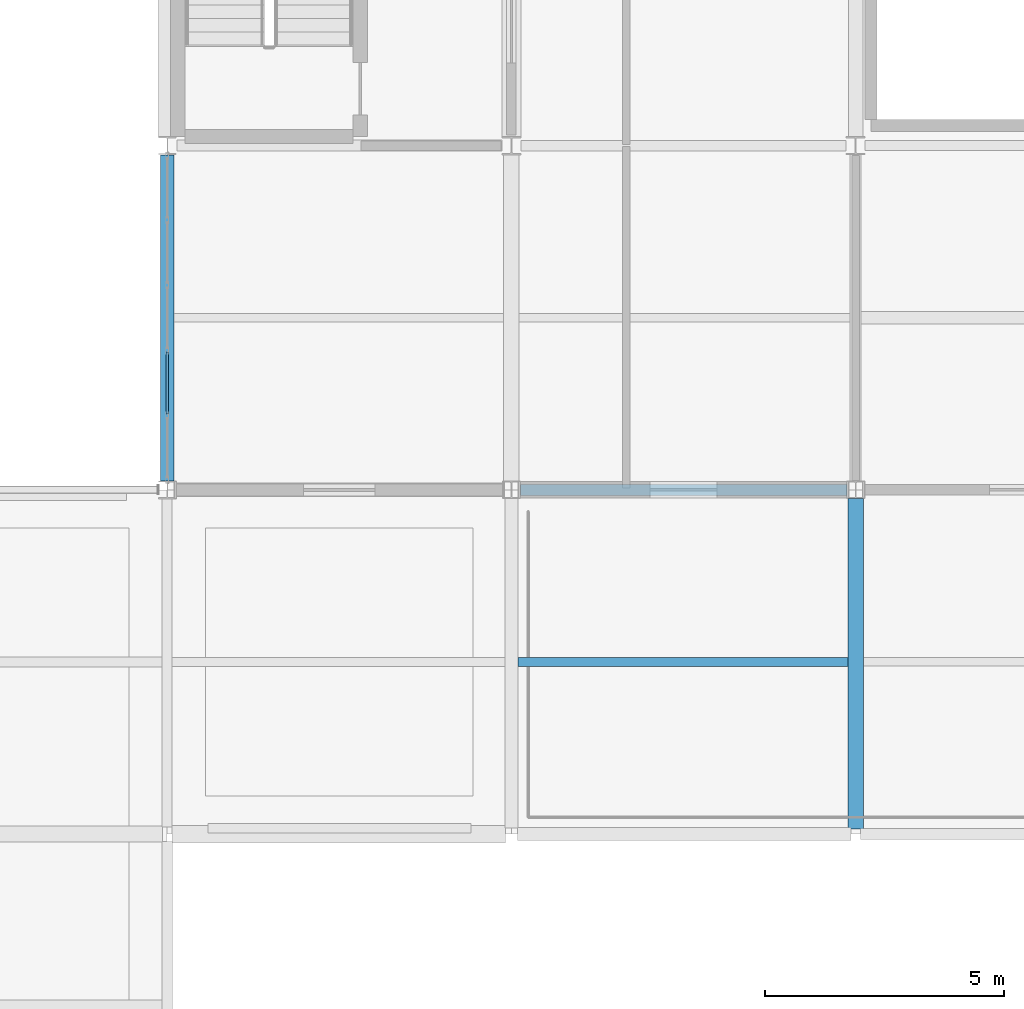
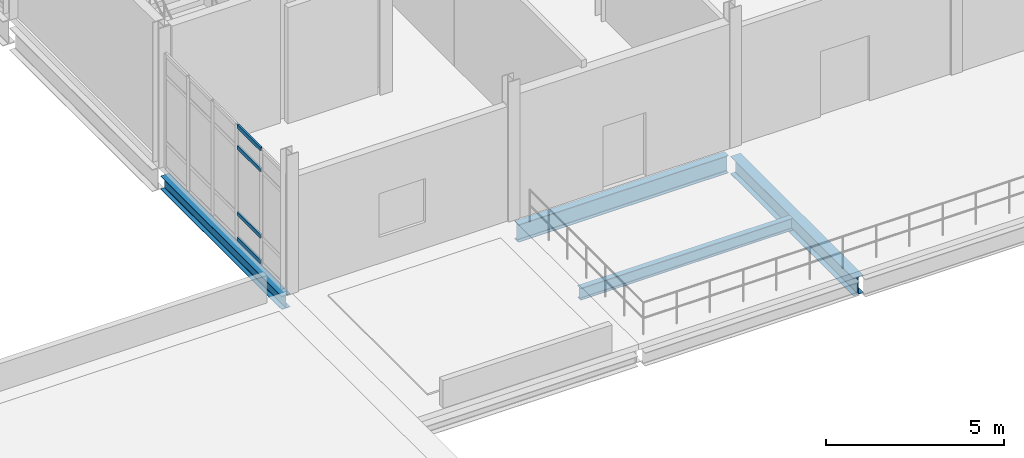
# One storey, part 40 of 153: 4 beams, 4 members, 1 element without a shape of its own.
"""IFC4 building model written with IfcOpenShell, lengths in metres."""

from ifc_helpers import new_model, si_unit, direction, frame, origin, origin_2d, place, context, subcontext, project, spatial, hollow_rectangle, i_section, extrude, material, layer, layer_set, material_profile, profile_set, type_object, element, aggregate, save


model = new_model("IFC4")

# Units and contexts
model_context = context("Model", 3, precision=1e-05, world=origin(), true_north=direction((0.0, 1.0)))
body_context = subcontext(model_context, "Body", "Model", "MODEL_VIEW")
ifc_project = project(units=[si_unit("LENGTHUNIT", "METRE"), si_unit("AREAUNIT", "SQUARE_METRE"), si_unit("VOLUMEUNIT", "CUBIC_METRE"), si_unit("PLANEANGLEUNIT", "RADIAN"), si_unit("MASSUNIT", "GRAM", prefix="KILO")], contexts=[model_context])

# Site, building, storey
site_placement = place(None, origin())
site = spatial("IfcSite", under=ifc_project, at=site_placement, CompositionType="ELEMENT")
building_placement = place(site_placement, origin())
building = spatial("IfcBuilding", under=site, at=building_placement, Name="Calvrana Isthmian Art Gallery", CompositionType="ELEMENT")
storey_placement = place(building_placement, frame((0.0, 0.0, 10.199951171875)))
storey = spatial("IfcBuildingStorey", under=building, at=storey_placement, Name="L02", CompositionType="ELEMENT", Elevation=10.199951171875)

# Beams
ifc_material_1 = material(Name="Steel ASTM A992 Gr 50", Category="steel")
ifc_material_profile_1 = material_profile(ifc_material_1, i_section(OverallWidth=0.279052734375, OverallDepth=0.4619140625, WebThickness=0.0107421875, FlangeThickness=0.017333984375, FilletRadius=0.02001953125, at=origin_2d()), Name="W18X76")
ifc_profile_set_1 = profile_set([ifc_material_profile_1], Name="Steel ASTM A992 Gr 50")
beam_type_1 = type_object("IfcBeamType", Name="BM-G-W18X76", PredefinedType="BEAM", material=ifc_profile_set_1)
beam_1_placement = place(storey_placement, frame((112.800048828125, 14.583984375, -0.495849609375), z_axis=(0.0, 1.0, 0.0), x_axis=(-1.0, 0.0, 0.0)))
element("IfcBeam", 1, at=beam_1_placement, inside=storey, type_object=beam_type_1, Name="Girder Y L02 15/C-D", PredefinedType="BEAM", context=body_context, shape_type="SweptSolid", body=[
    extrude(i_section(OverallWidth=0.279052734375, OverallDepth=0.4619140625, WebThickness=0.0107421875, FlangeThickness=0.017333984375, FilletRadius=0.02001953125, at=origin_2d()), origin(), (0.0, 0.0, 1.0), 6.822998046875),
])
ifc_material_profile_2 = material_profile(ifc_material_1, i_section(OverallWidth=0.324951171875, OverallDepth=0.612060546875, WebThickness=0.0126953125, FlangeThickness=0.01904296875, FilletRadius=0.02197265625, at=origin_2d()), Name="W24X104")
ifc_profile_set_2 = profile_set([ifc_material_profile_2], Name="Steel ASTM A992 Gr 50")
beam_type_2 = type_object("IfcBeamType", Name="BM-G-W24X104", PredefinedType="BEAM", material=ifc_profile_set_2)
beam_2_placement = place(storey_placement, frame((127.199951171875, 7.301513671875, -0.571044921875), z_axis=(0.0, 1.0, 0.0), x_axis=(-1.0, 0.0, 0.0)))
element("IfcBeam", 2, at=beam_2_placement, inside=storey, type_object=beam_type_2, Name="Girder Y L02 17/B-C", PredefinedType="BEAM", context=body_context, shape_type="SweptSolid", body=[
    extrude(i_section(OverallWidth=0.324951171875, OverallDepth=0.612060546875, WebThickness=0.0126953125, FlangeThickness=0.01904296875, FilletRadius=0.02197265625, at=origin_2d()), origin(), (0.0, 0.0, 1.0), 6.92041015625),
])
ifc_material_profile_3 = material_profile(ifc_material_1, i_section(OverallWidth=0.22802734375, OverallDepth=0.60693359375, WebThickness=0.01123046875, FlangeThickness=0.017333984375, FilletRadius=0.02197265625, at=origin_2d()), Name="W24X76")
ifc_profile_set_3 = profile_set([ifc_material_profile_3], Name="Steel ASTM A992 Gr 50")
beam_type_3 = type_object("IfcBeamType", Name="BM-G-W24X76", PredefinedType="BEAM", material=ifc_profile_set_3)
beam_3_placement = place(storey_placement, frame((120.185546875, 14.39990234375, -0.568359375), z_axis=(1.0, 0.0, 0.0), x_axis=(0.0, 1.0, 0.0)))
element("IfcBeam", 3, at=beam_3_placement, inside=storey, type_object=beam_type_3, Name="Girder X L02 16-17/C", PredefinedType="BEAM", context=body_context, shape_type="SweptSolid", body=[
    extrude(i_section(OverallWidth=0.22802734375, OverallDepth=0.60693359375, WebThickness=0.01123046875, FlangeThickness=0.017333984375, FilletRadius=0.02197265625, at=origin_2d()), origin(), (0.0, 0.0, 1.0), 6.83056640625),
])
ifc_material_profile_4 = material_profile(ifc_material_1, i_section(OverallWidth=0.179931640625, OverallDepth=0.4140625, WebThickness=0.009765625, FlangeThickness=0.01611328125, FilletRadius=0.01806640625, at=origin_2d()), Name="W16X50")
ifc_profile_set_4 = profile_set([ifc_material_profile_4], Name="Steel ASTM A992 Gr 50")
beam_type_4 = type_object("IfcBeamType", Name="BM-J-W16X50", PredefinedType="JOIST", material=ifc_profile_set_4)
beam_4_placement = place(storey_placement, frame((120.139404296875, 10.800048828125, -0.471923828125), z_axis=(1.0, 0.0, 0.0), x_axis=(0.0, 1.0, 0.0)))
element("IfcBeam", 4, at=beam_4_placement, inside=storey, type_object=beam_type_4, Name="Composite joist L02 bay 15-01", PredefinedType="JOIST", context=body_context, shape_type="SweptSolid", body=[
    extrude(i_section(OverallWidth=0.179931640625, OverallDepth=0.4140625, WebThickness=0.009765625, FlangeThickness=0.01611328125, FilletRadius=0.01806640625, at=origin_2d()), origin(), (0.0, 0.0, 1.0), 6.898193359375),
])

# Curtain wall, members
ifc_material_2 = material(Name="Anodized bronze aluminium 6063-T6", Category="aluminium")
ifc_layer = layer(ifc_material_2, 0.179931640625, Name="Anodized bronze aluminium 6063-T6")
ifc_layer_set = layer_set([ifc_layer], Name="Anodized bronze aluminium 6063-T6")
curtain_wall_type = type_object("IfcCurtainWallType", Name="CW-STICK-068X39", PredefinedType="NOTDEFINED", material=ifc_layer_set)
curtain_wall_placement = place(storey_placement, origin())
curtain_wall = element("IfcCurtainWall", 5, at=curtain_wall_placement, inside=storey, type_object=curtain_wall_type, Name="Curtain wall CW-181", PredefinedType="NOTDEFINED")
ifc_material_profile_5 = material_profile(ifc_material_2, hollow_rectangle(XDim=0.06005859375, YDim=0.1298828125, WallThickness=0.00390625, at=origin_2d()), Name="CWT60X130")
ifc_profile_set_5 = profile_set([ifc_material_profile_5], Name="Anodized bronze aluminium 6063-T6")
member_type = type_object("IfcMemberType", Name="CWT-CWT60X130", PredefinedType="USERDEFINED", material=ifc_profile_set_5)
member_1_placement = place(storey_placement, frame((112.800048828125, 15.98193359375, 0.030029296875), z_axis=(0.0, 1.0, 0.0), x_axis=(-1.0, 0.0, 0.0)))
member_1 = element("IfcMember", 6, at=member_1_placement, type_object=member_type, Name="CW-181 transom 2.1", ObjectType="TRANSOM", PredefinedType="USERDEFINED", context=body_context, shape_type="SweptSolid", body=[
    extrude(hollow_rectangle(XDim=0.06005859375, YDim=0.1298828125, WallThickness=0.00390625, at=origin_2d()), origin(), (0.0, 0.0, 1.0), 1.305419921875),
])
member_2_placement = place(storey_placement, frame((112.800048828125, 15.98193359375, 0.900146484375), z_axis=(0.0, 1.0, 0.0), x_axis=(-1.0, 0.0, 0.0)))
member_2 = element("IfcMember", 7, at=member_2_placement, type_object=member_type, Name="CW-181 transom 2.2", ObjectType="TRANSOM", PredefinedType="USERDEFINED", context=body_context, shape_type="SweptSolid", body=[
    extrude(hollow_rectangle(XDim=0.06005859375, YDim=0.1298828125, WallThickness=0.00390625, at=origin_2d()), origin(), (0.0, 0.0, 1.0), 1.305419921875),
])
member_3_placement = place(storey_placement, frame((112.800048828125, 15.98193359375, 3.177978515625), z_axis=(0.0, 1.0, 0.0), x_axis=(-1.0, 0.0, 0.0)))
member_3 = element("IfcMember", 8, at=member_3_placement, type_object=member_type, Name="CW-181 transom 2.3", ObjectType="TRANSOM", PredefinedType="USERDEFINED", context=body_context, shape_type="SweptSolid", body=[
    extrude(hollow_rectangle(XDim=0.06005859375, YDim=0.1298828125, WallThickness=0.00390625, at=origin_2d()), origin(), (0.0, 0.0, 1.0), 1.305419921875),
])
member_4_placement = place(storey_placement, frame((112.800048828125, 15.98193359375, 3.89794921875), z_axis=(0.0, 1.0, 0.0), x_axis=(-1.0, 0.0, 0.0)))
member_4 = element("IfcMember", 9, at=member_4_placement, type_object=member_type, Name="CW-181 transom 2.4", ObjectType="TRANSOM", PredefinedType="USERDEFINED", context=body_context, shape_type="SweptSolid", body=[
    extrude(hollow_rectangle(XDim=0.06005859375, YDim=0.1298828125, WallThickness=0.00390625, at=origin_2d()), origin(), (0.0, 0.0, 1.0), 1.305419921875),
])
aggregate(curtain_wall, [member_1, member_2, member_3, member_4])

save(model, "model.ifc")
